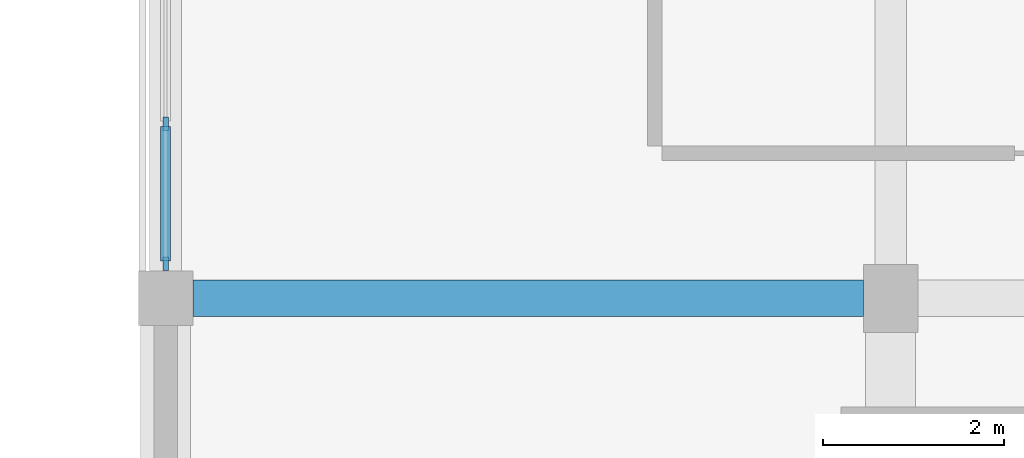
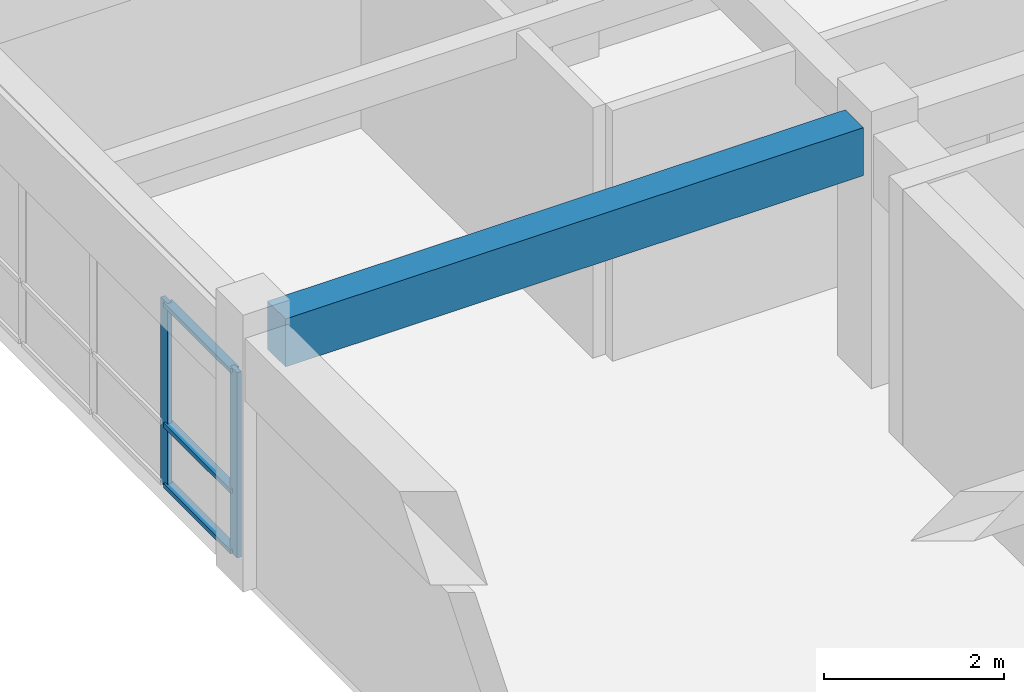
# One storey, part 11 of 33: 5 members, 1 beam, 1 element without a shape of its own.
"""IFC4 building model written with IfcOpenShell, lengths in metres."""

from ifc_helpers import new_model, si_unit, direction, frame, origin, origin_2d, place, context, subcontext, project, spatial, rectangle, extrude, material, layer, layer_set, material_profile, profile_set, type_object, element, aggregate, save


model = new_model("IFC4")

# Units and contexts
model_context = context("Model", 3, precision=1e-05, world=origin(), true_north=direction((0.0, 1.0)))
body_context = subcontext(model_context, "Body", "Model", "MODEL_VIEW")
ifc_project = project(units=[si_unit("LENGTHUNIT", "METRE"), si_unit("AREAUNIT", "SQUARE_METRE"), si_unit("VOLUMEUNIT", "CUBIC_METRE"), si_unit("PLANEANGLEUNIT", "RADIAN"), si_unit("MASSUNIT", "GRAM", prefix="KILO")], contexts=[model_context])

# Site, building, storey
site_placement = place(None, origin())
site = spatial("IfcSite", under=ifc_project, at=site_placement, CompositionType="ELEMENT")
building_placement = place(site_placement, origin())
building = spatial("IfcBuilding", under=site, at=building_placement, Name="Naurynzar Civic Courthouse", CompositionType="ELEMENT")
storey_placement = place(building_placement, frame((0.0, 0.0, 22.050048828125)))
storey = spatial("IfcBuildingStorey", under=building, at=storey_placement, Name="L06", CompositionType="ELEMENT", Elevation=22.050048828125)

# Beam
ifc_material_1 = material(Name="Concrete C40/50", Category="concrete")
ifc_material_profile_1 = material_profile(ifc_material_1, rectangle(XDim=0.39990234375, YDim=0.64990234375, at=origin_2d()), Name="RCB 400x650")
ifc_profile_set_1 = profile_set([ifc_material_profile_1], Name="Concrete C40/50")
beam_type = type_object("IfcBeamType", Name="BM-RC-400x650", PredefinedType="BEAM", material=ifc_profile_set_1)
beam_placement = place(storey_placement, frame((130.300048828125, 65.0, 3.10498046875), z_axis=(1.0, 0.0, 0.0), x_axis=(0.0, 1.0, 0.0)))
element("IfcBeam", 1, at=beam_placement, inside=storey, type_object=beam_type, Name="V5 beam X-2751 L06", PredefinedType="BEAM", context=body_context, shape_type="SweptSolid", body=[
    extrude(rectangle(XDim=0.39990234375, YDim=0.64990234375, at=origin_2d()), origin(), (0.0, 0.0, 1.0), 7.39990234375),
])

# Curtain wall, members
ifc_material_2 = material(Name="Aluminium 6063-T6", Category="aluminium")
ifc_layer = layer(ifc_material_2, 0.179931640625)
ifc_layer_set = layer_set([ifc_layer], Name="CW-UNIT-1500")
curtain_wall_type = type_object("IfcCurtainWallType", Name="CW-UNIT-1500", PredefinedType="NOTDEFINED", material=ifc_layer_set)
curtain_wall_placement = place(storey_placement, origin())
curtain_wall = element("IfcCurtainWall", 2, at=curtain_wall_placement, inside=storey, type_object=curtain_wall_type, Name="V5 unitised curtain wall 109 L06", PredefinedType="NOTDEFINED")
ifc_material_3 = material(Name="Aluminium 6063-T6", Category="aluminium")
ifc_material_profile_2 = material_profile(ifc_material_3, rectangle(XDim=0.06005859375, YDim=0.14990234375, at=origin_2d()), Name="ALU MULLION 60x150")
ifc_profile_set_2 = profile_set([ifc_material_profile_2], Name="Aluminium 6063-T6")
member_type_1 = type_object("IfcMemberType", Name="CWM-60x150", PredefinedType="MULLION", material=ifc_profile_set_2)
member_1_placement = place(storey_placement, frame((130.0, 65.3798828125, 0.0), z_axis=(0.0, 0.0, 1.0), x_axis=(-1.0, 0.0, 0.0)))
member_1 = element("IfcMember", 3, at=member_1_placement, type_object=member_type_1, Name="CW-01 mullion 1", PredefinedType="MULLION", context=body_context, shape_type="SweptSolid", body=[
    extrude(rectangle(XDim=0.06005859375, YDim=0.14990234375, at=origin_2d()), origin(), (0.0, 0.0, 1.0), 2.510009765625),
])
member_2_placement = place(storey_placement, frame((130.0, 66.925048828125, 0.0), z_axis=(0.0, 0.0, 1.0), x_axis=(-1.0, 0.0, 0.0)))
member_2 = element("IfcMember", 4, at=member_2_placement, type_object=member_type_1, Name="CW-01 mullion 2", PredefinedType="MULLION", context=body_context, shape_type="SweptSolid", body=[
    extrude(rectangle(XDim=0.06005859375, YDim=0.14990234375, at=origin_2d()), origin(), (0.0, 0.0, 1.0), 2.510009765625),
])
ifc_material_4 = material(Name="Aluminium 6063-T6", Category="aluminium")
ifc_material_profile_3 = material_profile(ifc_material_4, rectangle(XDim=0.110107421875, YDim=0.06005859375, at=origin_2d()), Name="ALU TRANSOM 60x110")
ifc_profile_set_3 = profile_set([ifc_material_profile_3], Name="Aluminium 6063-T6")
member_type_2 = type_object("IfcMemberType", Name="CWT-60x110", PredefinedType="USERDEFINED", material=ifc_profile_set_3)
member_3_placement = place(storey_placement, frame((130.0, 65.409912109375, 0.030029296875), z_axis=(0.0, 1.0, 0.0), x_axis=(-1.0, 0.0, 0.0)))
member_3 = element("IfcMember", 5, at=member_3_placement, type_object=member_type_2, Name="CW-01 transom 1.1", ObjectType="TRANSOM", PredefinedType="USERDEFINED", context=body_context, shape_type="SweptSolid", body=[
    extrude(rectangle(XDim=0.110107421875, YDim=0.06005859375, at=origin_2d()), origin(), (0.0, 0.0, 1.0), 1.485107421875),
])
member_4_placement = place(storey_placement, frame((130.0, 65.409912109375, 0.849853515625), z_axis=(0.0, 1.0, 0.0), x_axis=(-1.0, 0.0, 0.0)))
member_4 = element("IfcMember", 6, at=member_4_placement, type_object=member_type_2, Name="CW-01 transom 1.2", ObjectType="TRANSOM", PredefinedType="USERDEFINED", context=body_context, shape_type="SweptSolid", body=[
    extrude(rectangle(XDim=0.110107421875, YDim=0.06005859375, at=origin_2d()), origin(), (0.0, 0.0, 1.0), 1.485107421875),
])
member_5_placement = place(storey_placement, frame((130.0, 65.409912109375, 2.47998046875), z_axis=(0.0, 1.0, 0.0), x_axis=(-1.0, 0.0, 0.0)))
member_5 = element("IfcMember", 7, at=member_5_placement, type_object=member_type_2, Name="CW-01 transom 1.3", ObjectType="TRANSOM", PredefinedType="USERDEFINED", context=body_context, shape_type="SweptSolid", body=[
    extrude(rectangle(XDim=0.110107421875, YDim=0.06005859375, at=origin_2d()), origin(), (0.0, 0.0, 1.0), 1.485107421875),
])
aggregate(curtain_wall, [member_1, member_2, member_3, member_4, member_5])

save(model, "model.ifc")
